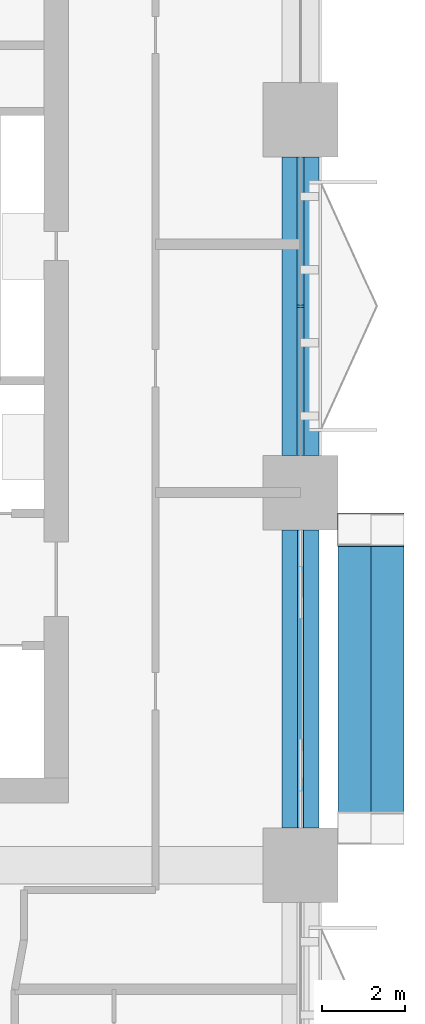
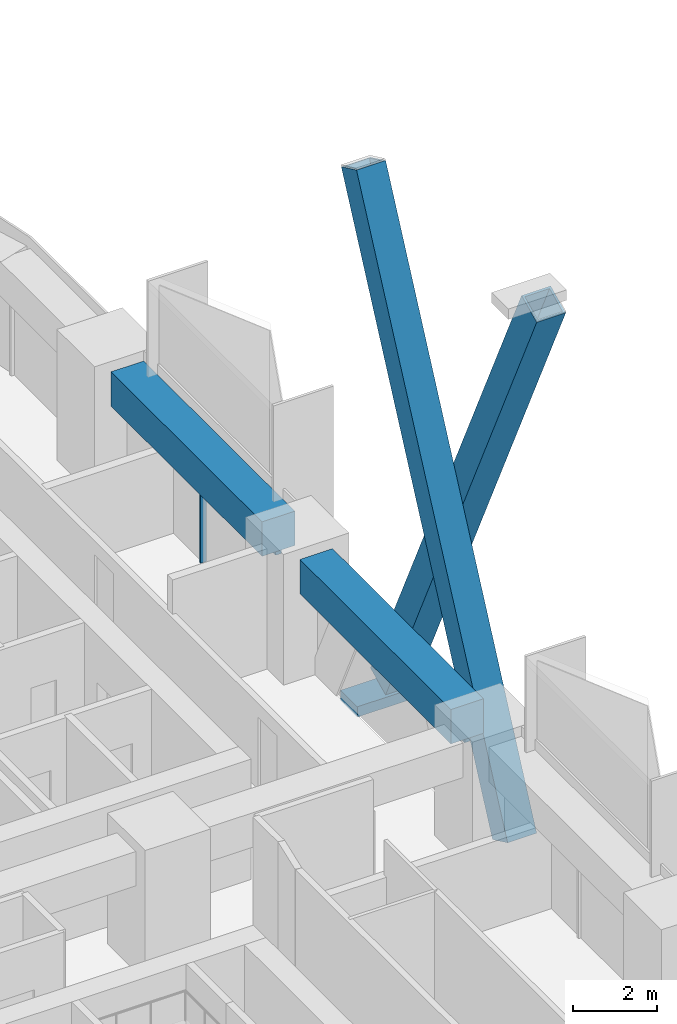
# One storey, part 8 of 23: 6 members, 2 beams, 2 elements without a shape of their own.
"""IFC4 building model written with IfcOpenShell, lengths in metres."""

import ifcopenshell
import ifcopenshell.guid

model = None  # the IFC model being written
_history = None  # IfcOwnerHistory: only IFC2X3 demands one
_inside = {}  # id of a spatial element -> (the spatial element, [elements in it])
_under = {}  # id of a project, library or spatial element -> (it, [spatial elements below it])
_declared = {}  # id of a project -> (the project, [libraries it declares])
_typed = {}  # id of a type object -> (the type object, [elements of that type])
_made_of = {}  # id of a material, layer set ... -> (it, [elements and type objects made of it])


def new_model(schema):
    """Start an empty IFC model of exactly this schema.

    Asked for "IFC4X3", IfcOpenShell would pick the latest addendum, in which some entities
    have other attributes; the version numbers below select the first issue.
    IFC2X3 requires an IfcOwnerHistory on every rooted entity: one is made here for all.
    """
    global model, _history
    if schema == "IFC4X3":
        model = ifcopenshell.file(schema_version=(4, 3, 0, 0))
    else:
        model = ifcopenshell.file(schema=schema)
    _inside.clear()
    _under.clear()
    _declared.clear()
    _typed.clear()
    _made_of.clear()
    _history = None
    if model.schema == "IFC2X3":
        org = make("IfcOrganization", Name="unknown")
        user = make(
            "IfcPersonAndOrganization",
            ThePerson=make("IfcPerson", FamilyName="unknown"),
            TheOrganization=org,
        )
        app = make(
            "IfcApplication",
            ApplicationDeveloper=org,
            Version="unknown",
            ApplicationFullName="unknown",
            ApplicationIdentifier="unknown",
        )
        _history = make(
            "IfcOwnerHistory",
            OwningUser=user,
            OwningApplication=app,
            ChangeAction="ADDED",
            CreationDate=0,
        )
    return model


def make(cls, **values):
    """One entity of the class cls with the attributes given. An attribute that is None is left unset."""
    return model.create_entity(
        cls, **{name: value for name, value in values.items() if value is not None}
    )


def rooted(cls, **values):
    """An entity with a GlobalId (a new one), such as an element, a storey or a relation."""
    return make(cls, GlobalId=ifcopenshell.guid.new(), OwnerHistory=_history, **values)


def si_unit(unit_type, name, prefix=None):
    """IfcSIUnit, for example si_unit("LENGTHUNIT", "METRE", prefix="MILLI")."""
    return make("IfcSIUnit", UnitType=unit_type, Prefix=prefix, Name=name)


def assignment(units):
    """IfcUnitAssignment: the units of a project."""
    return None if units is None else make("IfcUnitAssignment", Units=units)


def point(xyz):
    """IfcCartesianPoint."""
    return None if xyz is None else make("IfcCartesianPoint", Coordinates=xyz)


def direction(xyz):
    """IfcDirection."""
    return None if xyz is None else make("IfcDirection", DirectionRatios=xyz)


def frame(location, z_axis=None, x_axis=None):
    """IfcAxis2Placement3D, a coordinate frame: its origin and axes. An axis left out is left unset."""
    return make(
        "IfcAxis2Placement3D",
        Location=point(location),
        Axis=direction(z_axis),
        RefDirection=direction(x_axis),
    )


def frame_2d(location, x_axis=None):
    """IfcAxis2Placement2D, a coordinate frame in the plane: its origin and x axis."""
    return make(
        "IfcAxis2Placement2D", Location=point(location), RefDirection=direction(x_axis)
    )


def origin():
    """The frame at (0, 0, 0) with its axes left unset."""
    return frame((0.0, 0.0, 0.0))


def origin_2d():
    """The frame at (0, 0) in the plane with its x axis left unset."""
    return frame_2d((0.0, 0.0))


def place(relative_to, where):
    """IfcLocalPlacement: puts the frame where relative to a parent placement (None: the world)."""
    return make(
        "IfcLocalPlacement", PlacementRelTo=relative_to, RelativePlacement=where
    )


def context(
    kind, dimensions, precision=None, world=None, true_north=None, identifier=None
):
    """IfcGeometricRepresentationContext, for example the 3D "Model" context."""
    return make(
        "IfcGeometricRepresentationContext",
        ContextIdentifier=identifier,
        ContextType=kind,
        CoordinateSpaceDimension=dimensions,
        Precision=precision,
        WorldCoordinateSystem=world,
        TrueNorth=true_north,
    )


def subcontext(parent, identifier, kind, view, scale=None):
    """IfcGeometricRepresentationSubContext, for example "Body" below "Model"."""
    return make(
        "IfcGeometricRepresentationSubContext",
        ContextIdentifier=identifier,
        ContextType=kind,
        ParentContext=parent,
        TargetScale=scale,
        TargetView=view,
    )


def project(units=None, contexts=None):
    """IfcProject with its units and contexts."""
    return rooted(
        "IfcProject",
        Name="project",
        RepresentationContexts=contexts,
        UnitsInContext=assignment(units),
    )


def spatial(cls, under=None, at=None, **own):
    """A site, building, storey or space (cls), placed at a placement, below another one or the project."""
    s = rooted(cls, ObjectPlacement=at, **own)
    if under is not None:
        _under.setdefault(under.id(), (under, []))[1].append(s)
    return s


def profile(cls, at=None, kind="AREA", **sizes):
    """A parametric profile (cls). Its sizes go by their IFC names, for example OverallWidth=200.0."""
    return make(cls, ProfileType=kind, Position=at, **sizes)


def rectangle(**sizes):
    """IfcRectangleProfileDef."""
    return profile("IfcRectangleProfileDef", **sizes)


def hollow_rectangle(**sizes):
    """IfcRectangleHollowProfileDef."""
    return profile("IfcRectangleHollowProfileDef", **sizes)


def extrude(swept, where, along, depth):
    """IfcExtrudedAreaSolid: the profile swept, set in the frame where, extruded along a direction by depth."""
    return make(
        "IfcExtrudedAreaSolid",
        SweptArea=swept,
        Position=where,
        ExtrudedDirection=direction(along),
        Depth=depth,
    )


def shape(context_of_items, identifier, shape_type, items):
    """IfcShapeRepresentation: the items that make up one representation, for example the "Body"."""
    return make(
        "IfcShapeRepresentation",
        ContextOfItems=context_of_items,
        RepresentationIdentifier=identifier,
        RepresentationType=shape_type,
        Items=items,
    )


def material(Name=None, Category=None):
    """IfcMaterial."""
    return make("IfcMaterial", Name=Name, Category=Category)


def layer(
    of_material, thickness, ventilated=None, Name=None, Category=None, Priority=None
):
    """IfcMaterialLayer: one layer of a wall or slab, of a material (None: an air gap)."""
    return make(
        "IfcMaterialLayer",
        Material=of_material,
        LayerThickness=thickness,
        IsVentilated=ventilated,
        Name=Name,
        Category=Category,
        Priority=Priority,
    )


def layer_set(layers, Name=None):
    """IfcMaterialLayerSet."""
    return make("IfcMaterialLayerSet", MaterialLayers=layers, LayerSetName=Name)


def material_profile(
    of_material, cross_section, Name=None, Category=None, Priority=None
):
    """IfcMaterialProfile: a cross section and its material."""
    return make(
        "IfcMaterialProfile",
        Name=Name,
        Material=of_material,
        Profile=cross_section,
        Priority=Priority,
        Category=Category,
    )


def profile_set(profiles, Name=None, composite=None):
    """IfcMaterialProfileSet."""
    return make(
        "IfcMaterialProfileSet",
        Name=Name,
        MaterialProfiles=profiles,
        CompositeProfile=composite,
    )


def made_of(thing, what):
    """Note that an element or type object is made of a material, layer set ...; save() writes the relation."""
    if what is not None:
        _made_of.setdefault(what.id(), (what, []))[1].append(thing)
    return thing


def type_object(cls, material=None, **own):
    """A type object (cls), such as IfcWallType, which elements share."""
    return made_of(rooted(cls, **own), material)


def element(
    cls,
    number,
    at=None,
    inside=None,
    cuts=None,
    type_object=None,
    material=None,
    context=None,
    identifier="Body",
    shape_type=None,
    held_by="IfcProductDefinitionShape",
    body=None,
    shapes=None,
    **own,
):
    """One element of the class cls, such as IfcWall. Its Tag is "e" and its number.

    at: its placement. inside: the storey or other place that contains it. cuts: it is an
    opening in that element (IfcRelVoidsElement). A single representation is given by context,
    identifier, shape_type and body (its items); several are given by shapes. held_by: the class
    of the entity that holds the representations. save() writes the other relations.
    """
    e = rooted(cls, Tag="e%d" % number, ObjectPlacement=at, **own)
    if body is not None:
        shapes = [shape(context, identifier, shape_type, body)]
    if shapes is not None:
        e.Representation = make(held_by, Representations=shapes)
    if inside is not None:
        _inside.setdefault(inside.id(), (inside, []))[1].append(e)
    if cuts is not None:
        rooted(
            "IfcRelVoidsElement", RelatingBuildingElement=cuts, RelatedOpeningElement=e
        )
    if type_object is not None:
        _typed.setdefault(type_object.id(), (type_object, []))[1].append(e)
    return made_of(e, material)


def aggregate(whole, parts):
    """IfcRelAggregates: a whole, such as a stair, and the parts it consists of."""
    return rooted("IfcRelAggregates", RelatingObject=whole, RelatedObjects=parts)


def save(model, path):
    """Write the relations noted so far, then the file.

    IfcRelAggregates (storeys below a building ...), IfcRelContainedInSpatialStructure (elements
    in a storey), IfcRelDefinesByType, IfcRelAssociatesMaterial and IfcRelDeclares: one each for
    every whole, place, type object, material and project.
    """
    for whole, parts in _under.values():
        aggregate(whole, parts)
    for where, things in _inside.values():
        rooted(
            "IfcRelContainedInSpatialStructure",
            RelatedElements=things,
            RelatingStructure=where,
        )
    for kind, things in _typed.values():
        rooted("IfcRelDefinesByType", RelatedObjects=things, RelatingType=kind)
    for what, things in _made_of.values():
        rooted("IfcRelAssociatesMaterial", RelatedObjects=things, RelatingMaterial=what)
    for by, libraries in _declared.values():
        rooted("IfcRelDeclares", RelatingContext=by, RelatedDefinitions=libraries)
    model.write(path)


model = new_model("IFC4")

# Units and contexts
model_context = context("Model", 3, precision=1e-05, world=origin(), true_north=direction((0.0, 1.0)))
body_context = subcontext(model_context, "Body", "Model", "MODEL_VIEW")
ifc_project = project(units=[si_unit("LENGTHUNIT", "METRE"), si_unit("AREAUNIT", "SQUARE_METRE"), si_unit("VOLUMEUNIT", "CUBIC_METRE"), si_unit("PLANEANGLEUNIT", "RADIAN"), si_unit("MASSUNIT", "GRAM", prefix="KILO")], contexts=[model_context])

# Site, building, storey
site_placement = place(None, origin())
site = spatial("IfcSite", under=ifc_project, at=site_placement, CompositionType="ELEMENT")
building_placement = place(site_placement, origin())
building = spatial("IfcBuilding", under=site, at=building_placement, Name="Tessera Arch", CompositionType="ELEMENT")
storey_placement = place(building_placement, frame((0.0, 0.0, 46.199951171875)))
storey = spatial("IfcBuildingStorey", under=building, at=storey_placement, Name="L09", CompositionType="ELEMENT", Elevation=46.199951171875)

# Members
ifc_material_1 = material(Name="Steel A572 Gr50", Category="steel")
ifc_material_profile_1 = material_profile(ifc_material_1, hollow_rectangle(XDim=0.800048828125, YDim=0.800048828125, WallThickness=0.06005859375, at=origin_2d()), Name="BOX 800x800x60")
ifc_profile_set_1 = profile_set([ifc_material_profile_1], Name="Steel A572 Gr50")
member_type_1 = type_object("IfcMemberType", Name="Brace BOX 800x800x60 Steel A572 Gr50", PredefinedType="BRACE", material=ifc_profile_set_1)
for number, where, z_axis, x_axis, name in (
    (1, (55.300048828125, 27.89990234375, -0.800048828125), (0.0, 0.428091336491, 0.903735474363), (-1.0, 0.0, 0.0), "Brace E54.0-3 A L09-L12"),
    (2, (56.10009765625, 35.10009765625, -0.800048828125), (0.0, -0.428091336491, 0.903735474363), (1.0, 0.0, 0.0), "Brace E54.0-3 B L09-L12"),
):
    element("IfcMember", number, at=place(storey_placement, frame(where, z_axis=z_axis, x_axis=x_axis)), inside=storey, type_object=member_type_1, Name=name, PredefinedType="BRACE", context=body_context, shape_type="SweptSolid", body=[
        extrude(hollow_rectangle(XDim=0.800048828125, YDim=0.800048828125, WallThickness=0.06005859375, at=origin_2d()), origin(), (0.0, 0.0, 1.0), 16.8193359375),
    ])

# Curtain wall, members
ifc_material_2 = material(Name="CW1 curtain wall")
curtain_wall_type_1 = type_object("IfcCurtainWallType", Name="CW1 curtain wall", PredefinedType="NOTDEFINED", material=ifc_material_2)
curtain_wall_1_placement = place(storey_placement, origin())
curtain_wall_1 = element("IfcCurtainWall", 3, at=curtain_wall_1_placement, inside=storey, type_object=curtain_wall_type_1, Name="CW1 curtain wall E54.0/4 L09", PredefinedType="NOTDEFINED")
ifc_material_3 = material(Name="Anodised aluminium pale metal", Category="aluminium")
ifc_material_profile_2 = material_profile(ifc_material_3, rectangle(XDim=0.159912109375, YDim=0.06005859375, at=origin_2d()), Name="AL 60x160")
ifc_profile_set_2 = profile_set([ifc_material_profile_2], Name="Anodised aluminium pale metal")
member_type_2 = type_object("IfcMemberType", Name="CW1 mullion", PredefinedType="MULLION", material=ifc_profile_set_2)
member_1_placement = place(storey_placement, frame((54.0, 40.5, 0.0), z_axis=(0.0, 0.0, 1.0), x_axis=(-1.0, 0.0, 0.0)))
member_1 = element("IfcMember", 4, at=member_1_placement, type_object=member_type_2, Name="CW1 mullion E54.0/4 1", PredefinedType="MULLION", context=body_context, shape_type="SweptSolid", body=[
    extrude(rectangle(XDim=0.159912109375, YDim=0.06005859375, at=origin_2d()), origin(), (0.0, 0.0, 1.0), 2.400146484375),
])
ifc_material_4 = material(Name="Anodised aluminium pale metal", Category="aluminium")
ifc_material_profile_3 = material_profile(ifc_material_4, rectangle(XDim=0.159912109375, YDim=0.10009765625, at=origin_2d()), Name="AL 160x100")
ifc_profile_set_3 = profile_set([ifc_material_profile_3], Name="Anodised aluminium pale metal")
member_type_3 = type_object("IfcMemberType", Name="CW1 transom", PredefinedType="USERDEFINED", material=ifc_profile_set_3)
member_2_placement = place(storey_placement, frame((54.0, 36.89990234375, 2.449951171875), z_axis=(0.0, 1.0, 0.0), x_axis=(-1.0, 0.0, 0.0)))
member_2 = element("IfcMember", 5, at=member_2_placement, type_object=member_type_3, Name="CW1 transom E54.0/4 1.1", ObjectType="TRANSOM", PredefinedType="USERDEFINED", context=body_context, shape_type="SweptSolid", body=[
    extrude(rectangle(XDim=0.159912109375, YDim=0.10009765625, at=origin_2d()), origin(), (0.0, 0.0, 1.0), 7.2001953125),
])
aggregate(curtain_wall_1, [member_1, member_2])

# Curtain wall, member
ifc_material_5 = material(Name="CW3 curtain wall")
curtain_wall_type_2 = type_object("IfcCurtainWallType", Name="CW3 curtain wall", PredefinedType="NOTDEFINED", material=ifc_material_5)
curtain_wall_2_placement = place(storey_placement, origin())
curtain_wall_2 = element("IfcCurtainWall", 6, at=curtain_wall_2_placement, inside=storey, type_object=curtain_wall_type_2, Name="CW3 curtain wall E54.0/3 L09", PredefinedType="NOTDEFINED")
ifc_material_6 = material(Name="Anodised aluminium pale metal", Category="aluminium")
ifc_material_profile_4 = material_profile(ifc_material_6, rectangle(XDim=0.139892578125, YDim=0.10009765625, at=origin_2d()), Name="AL 140x100")
ifc_profile_set_4 = profile_set([ifc_material_profile_4], Name="Anodised aluminium pale metal")
member_type_4 = type_object("IfcMemberType", Name="CW3 transom", PredefinedType="USERDEFINED", material=ifc_profile_set_4)
member_3_placement = place(storey_placement, frame((54.0, 27.89990234375, 2.449951171875), z_axis=(0.0, 1.0, 0.0), x_axis=(-1.0, 0.0, 0.0)))
member_3 = element("IfcMember", 7, at=member_3_placement, type_object=member_type_4, Name="CW3 transom E54.0/3 1.1", ObjectType="TRANSOM", PredefinedType="USERDEFINED", context=body_context, shape_type="SweptSolid", body=[
    extrude(rectangle(XDim=0.139892578125, YDim=0.10009765625, at=origin_2d()), origin(), (0.0, 0.0, 1.0), 7.2001953125),
])
aggregate(curtain_wall_2, [member_3])

# Member
ifc_material_7 = material(Name="Steel A572 Gr50", Category="steel")
ifc_layer = layer(ifc_material_7, 0.050048828125)
ifc_layer_set = layer_set([ifc_layer], Name="Node block Steel A572 Gr50")
member_type_5 = type_object("IfcMemberType", Name="Node block Steel A572 Gr50", PredefinedType="PLATE", material=ifc_layer_set)
member_4_placement = place(storey_placement, frame((55.699951171875, 35.10009765625, -1.31640625), z_axis=(0.0, 0.0, 1.0), x_axis=(0.0, 1.0, 0.0)))
element("IfcMember", 8, at=member_4_placement, inside=storey, type_object=member_type_5, Name="Node block seat E54.0-3 1 L09", PredefinedType="PLATE", context=body_context, shape_type="SweptSolid", body=[
    extrude(rectangle(XDim=0.800048828125, YDim=1.60009765625, at=origin_2d()), origin(), (0.0, 0.0, 1.0), 0.300048828125),
])

# Beams
ifc_material_8 = material(Name="Concrete C80/95", Category="concrete")
ifc_material_profile_5 = material_profile(ifc_material_8, rectangle(XDim=0.89990234375, YDim=1.0, at=origin_2d()), Name="RC spandrel beam 900 x 1000 Concrete C80/95")
ifc_profile_set_5 = profile_set([ifc_material_profile_5], Name="Concrete C80/95")
beam_type = type_object("IfcBeamType", Name="RC spandrel beam 900 x 1000 Concrete C80/95", PredefinedType="BEAM", material=ifc_profile_set_5)
for number, where, z_axis, x_axis, name in (
    (9, (54.0, 27.89990234375, 3.0), (0.0, 1.0, 0.0), (-1.0, 0.0, 0.0), "Spandrel beam L09 E54.0/3"),
    (10, (54.0, 36.89990234375, 3.0), (0.0, 1.0, 0.0), (-1.0, 0.0, 0.0), "Spandrel beam L09 E54.0/4"),
):
    element("IfcBeam", number, at=place(storey_placement, frame(where, z_axis=z_axis, x_axis=x_axis)), inside=storey, type_object=beam_type, Name=name, PredefinedType="BEAM", context=body_context, shape_type="SweptSolid", body=[
        extrude(rectangle(XDim=0.89990234375, YDim=1.0, at=origin_2d()), origin(), (0.0, 0.0, 1.0), 7.2001953125),
    ])

save(model, "model.ifc")
